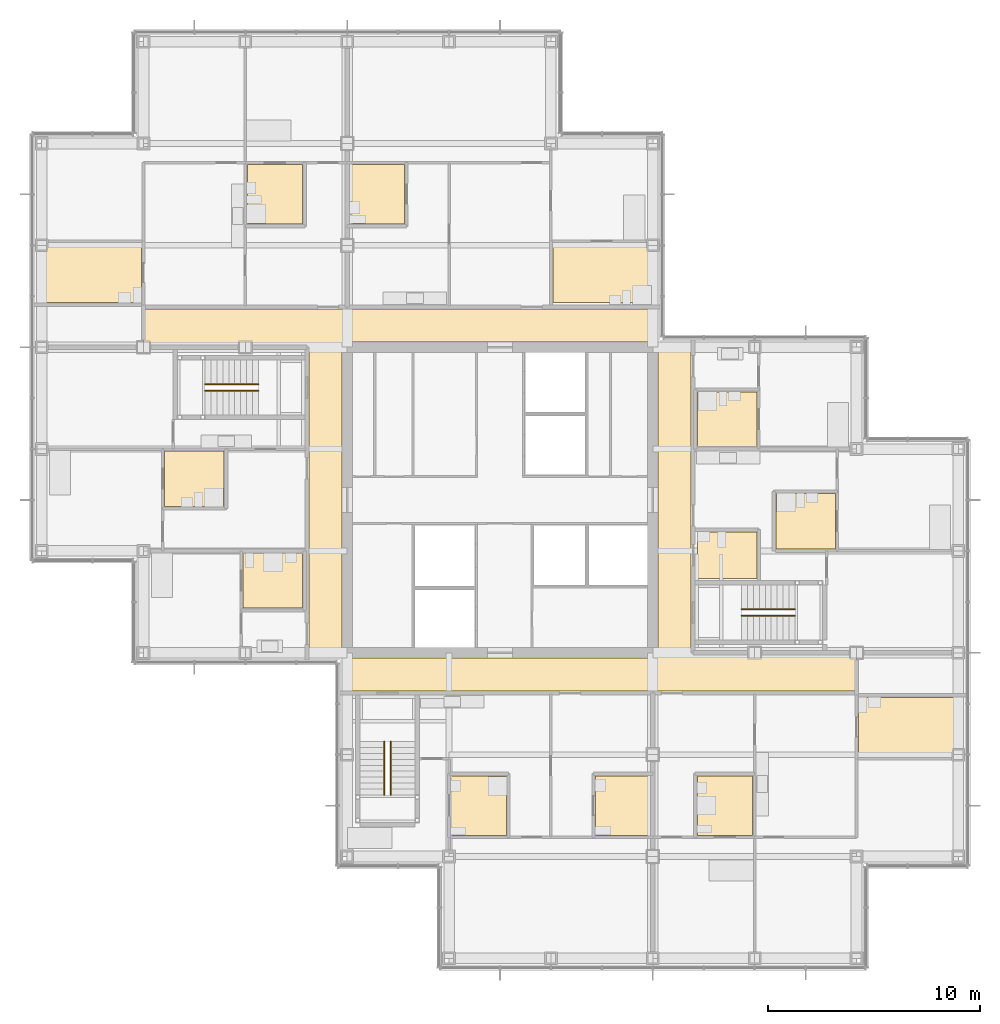
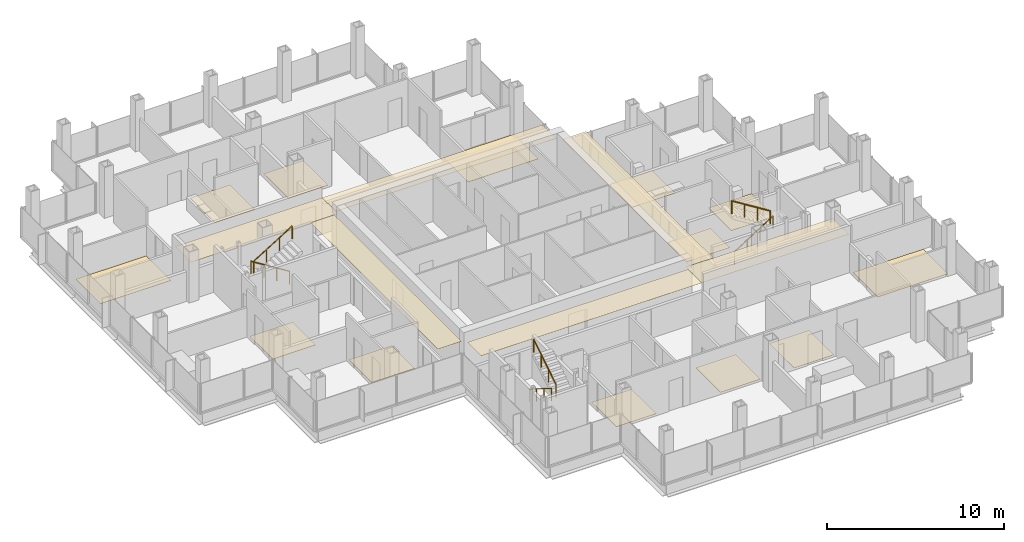
# One storey, part 18 of 20: 19 coverings, 6 railings.
"""IFC4 building model written with IfcOpenShell, lengths in metres."""

from ifc_helpers import new_model, si_unit, direction, frame, origin, origin_2d, place, context, subcontext, project, spatial, polyline, circle, outline, extrude, material, layer, layer_set, type_object, element, save


model = new_model("IFC4")

# Units and contexts
model_context = context("Model", 3, precision=1e-05, world=origin(), true_north=direction((0.0, 1.0)))
body_context = subcontext(model_context, "Body", "Model", "MODEL_VIEW")
ifc_project = project(units=[si_unit("LENGTHUNIT", "METRE"), si_unit("AREAUNIT", "SQUARE_METRE"), si_unit("VOLUMEUNIT", "CUBIC_METRE"), si_unit("PLANEANGLEUNIT", "RADIAN"), si_unit("MASSUNIT", "GRAM", prefix="KILO")], contexts=[model_context])

# Site, building, storey
site_placement = place(None, origin())
site = spatial("IfcSite", under=ifc_project, at=site_placement, CompositionType="ELEMENT")
building_placement = place(site_placement, origin())
building = spatial("IfcBuilding", under=site, at=building_placement, Name="Kvirike Care Tower", CompositionType="ELEMENT")
storey_placement = place(building_placement, frame((0.0, 0.0, 133.0)))
storey = spatial("IfcBuildingStorey", under=building, at=storey_placement, Name="L36", CompositionType="ELEMENT", Elevation=133.0)

# Coverings
ifc_material_1 = material(Name="Perforated metal ceiling tile", Category="aluminium")
ifc_layer_1 = layer(ifc_material_1, 0.014892578125)
ifc_layer_set_1 = layer_set([ifc_layer_1], Name="CORRIDOR CEILING 15")
covering_type_1 = type_object("IfcCoveringType", Name="CORRIDOR CEILING 15", PredefinedType="CEILING", material=ifc_layer_set_1)
covering_1_placement = place(storey_placement, frame((0.0, 0.0, 2.5)))
element("IfcCovering", 1, at=covering_1_placement, inside=storey, type_object=covering_type_1, Name="Corridor ceiling L36", PredefinedType="CEILING", context=body_context, shape_type="SweptSolid", body=[
    extrude(outline(polyline([(12.60009765625, 43.199951171875), (14.14990234375, 43.199951171875), (14.14990234375, 28.800048828125), (12.60009765625, 28.800048828125), (12.60009765625, 43.199951171875)])), origin(), (0.0, 0.0, 1.0), 0.014892578125),
])
covering_2_placement = place(storey_placement, frame((0.0, 0.0, 2.5)))
element("IfcCovering", 2, at=covering_2_placement, inside=storey, type_object=covering_type_1, Name="Corridor ceiling L36", PredefinedType="CEILING", context=body_context, shape_type="SweptSolid", body=[
    extrude(outline(polyline([(14.39990234375, 45.0), (14.39990234375, 43.199951171875), (4.800048828125, 43.199951171875), (4.800048828125, 45.0), (14.39990234375, 45.0)])), origin(), (0.0, 0.0, 1.0), 0.014892578125),
])
covering_3_placement = place(storey_placement, frame((0.0, 0.0, 2.5)))
element("IfcCovering", 3, at=covering_3_placement, inside=storey, type_object=covering_type_1, Name="Corridor ceiling L36", PredefinedType="CEILING", context=body_context, shape_type="SweptSolid", body=[
    extrude(outline(polyline([(14.39990234375, 27.0), (14.39990234375, 28.550048828125), (28.800048828125, 28.550048828125), (28.800048828125, 27.0), (14.39990234375, 27.0)])), origin(), (0.0, 0.0, 1.0), 0.014892578125),
])
covering_4_placement = place(storey_placement, frame((0.0, 0.0, 2.5)))
element("IfcCovering", 4, at=covering_4_placement, inside=storey, type_object=covering_type_1, Name="Corridor ceiling L36", PredefinedType="CEILING", context=body_context, shape_type="SweptSolid", body=[
    extrude(outline(polyline([(28.800048828125, 45.0), (28.800048828125, 43.449951171875), (14.39990234375, 43.449951171875), (14.39990234375, 45.0), (28.800048828125, 45.0)])), origin(), (0.0, 0.0, 1.0), 0.014892578125),
])
covering_5_placement = place(storey_placement, frame((0.0, 0.0, 2.5)))
element("IfcCovering", 5, at=covering_5_placement, inside=storey, type_object=covering_type_1, Name="Corridor ceiling L36", PredefinedType="CEILING", context=body_context, shape_type="SweptSolid", body=[
    extrude(outline(polyline([(28.800048828125, 27.0), (28.800048828125, 28.800048828125), (38.39990234375, 28.800048828125), (38.39990234375, 27.0), (28.800048828125, 27.0)])), origin(), (0.0, 0.0, 1.0), 0.014892578125),
])
covering_6_placement = place(storey_placement, frame((0.0, 0.0, 2.5)))
element("IfcCovering", 6, at=covering_6_placement, inside=storey, type_object=covering_type_1, Name="Corridor ceiling L36", PredefinedType="CEILING", context=body_context, shape_type="SweptSolid", body=[
    extrude(outline(polyline([(30.60009765625, 28.800048828125), (29.050048828125, 28.800048828125), (29.050048828125, 43.199951171875), (30.60009765625, 43.199951171875), (30.60009765625, 28.800048828125)])), origin(), (0.0, 0.0, 1.0), 0.014892578125),
])

# Railings
ifc_material_2 = material(Name="Stainless steel handrail", Category="steel")
railing_type = type_object("IfcRailingType", Name="STAIR HANDRAIL 900", PredefinedType="HANDRAIL", material=ifc_material_2)
railing_1_placement = place(storey_placement, frame((10.219970703125, 41.449951171875, 0.175048828125)))
element("IfcRailing", 7, at=railing_1_placement, inside=storey, type_object=railing_type, Name="Stair 1 handrail L36 flight 1", PredefinedType="HANDRAIL", context=body_context, shape_type="SweptSolid", body=[
    extrude(circle(Radius=0.02490234375, at=origin_2d()), frame((0.0, 0.0, 0.875), z_axis=(-0.848007534815, 0.0, 0.529984170421), x_axis=(0.0, -1.0, 0.0)), (0.0, 0.0, 1.0), 2.9716796875),
    extrude(circle(Radius=0.02001953125, at=origin_2d()), origin(), (0.0, 0.0, 1.0), 0.849853515625),
    extrude(circle(Radius=0.02001953125, at=origin_2d()), frame((-0.840087890625, 0.0, 0.52490234375)), (0.0, 0.0, 1.0), 0.849853515625),
    extrude(circle(Radius=0.02001953125, at=origin_2d()), frame((-1.679931640625, 0.0, 1.050048828125)), (0.0, 0.0, 1.0), 0.849853515625),
    extrude(circle(Radius=0.02001953125, at=origin_2d()), frame((-2.52001953125, 0.0, 1.574951171875)), (0.0, 0.0, 1.0), 0.849853515625),
])
for number, where, name in (
    (8, (7.699951171875, 41.14990234375, 1.925048828125), "Stair 1 handrail L36 flight 2"),
    (9, (32.97998046875, 30.550048828125, 0.175048828125), "Stair 2 handrail L36 flight 1"),
):
    element("IfcRailing", number, at=place(storey_placement, frame(where)), inside=storey, type_object=railing_type, Name=name, PredefinedType="HANDRAIL", context=body_context, shape_type="SweptSolid", body=[
        extrude(circle(Radius=0.02490234375, at=origin_2d()), frame((0.0, 0.0, 0.875), z_axis=(0.848007534815, 0.0, 0.529984170421), x_axis=(0.0, 1.0, 0.0)), (0.0, 0.0, 1.0), 2.9716796875),
        extrude(circle(Radius=0.02001953125, at=origin_2d()), origin(), (0.0, 0.0, 1.0), 0.849853515625),
        extrude(circle(Radius=0.02001953125, at=origin_2d()), frame((0.840087890625, 0.0, 0.52490234375)), (0.0, 0.0, 1.0), 0.849853515625),
        extrude(circle(Radius=0.02001953125, at=origin_2d()), frame((1.679931640625, 0.0, 1.050048828125)), (0.0, 0.0, 1.0), 0.849853515625),
        extrude(circle(Radius=0.02001953125, at=origin_2d()), frame((2.52001953125, 0.0, 1.574951171875)), (0.0, 0.0, 1.0), 0.849853515625),
    ])
railing_2_placement = place(storey_placement, frame((35.5, 30.85009765625, 1.925048828125)))
element("IfcRailing", 10, at=railing_2_placement, inside=storey, type_object=railing_type, Name="Stair 2 handrail L36 flight 2", PredefinedType="HANDRAIL", context=body_context, shape_type="SweptSolid", body=[
    extrude(circle(Radius=0.02490234375, at=origin_2d()), frame((0.0, 0.0, 0.875), z_axis=(-0.848007534815, 0.0, 0.529984170421), x_axis=(0.0, -1.0, 0.0)), (0.0, 0.0, 1.0), 2.9716796875),
    extrude(circle(Radius=0.02001953125, at=origin_2d()), origin(), (0.0, 0.0, 1.0), 0.849853515625),
    extrude(circle(Radius=0.02001953125, at=origin_2d()), frame((-0.840087890625, 0.0, 0.52490234375)), (0.0, 0.0, 1.0), 0.849853515625),
    extrude(circle(Radius=0.02001953125, at=origin_2d()), frame((-1.679931640625, 0.0, 1.050048828125)), (0.0, 0.0, 1.0), 0.849853515625),
    extrude(circle(Radius=0.02001953125, at=origin_2d()), frame((-2.52001953125, 0.0, 1.574951171875)), (0.0, 0.0, 1.0), 0.849853515625),
])
railing_3_placement = place(storey_placement, frame((16.14990234375, 24.6201171875, 0.175048828125)))
element("IfcRailing", 11, at=railing_3_placement, inside=storey, type_object=railing_type, Name="Stair 5 handrail L36 flight 1", PredefinedType="HANDRAIL", context=body_context, shape_type="SweptSolid", body=[
    extrude(circle(Radius=0.02490234375, at=origin_2d()), frame((0.0, 0.0, 0.875), z_axis=(0.0, -0.848007534815, 0.529984170421), x_axis=(1.0, 0.0, 0.0)), (0.0, 0.0, 1.0), 2.9716796875),
    extrude(circle(Radius=0.02001953125, at=origin_2d()), origin(), (0.0, 0.0, 1.0), 0.849853515625),
    extrude(circle(Radius=0.02001953125, at=origin_2d()), frame((0.0, -0.840087890625, 0.52490234375)), (0.0, 0.0, 1.0), 0.849853515625),
    extrude(circle(Radius=0.02001953125, at=origin_2d()), frame((0.0, -1.679931640625, 1.050048828125)), (0.0, 0.0, 1.0), 0.849853515625),
    extrude(circle(Radius=0.02001953125, at=origin_2d()), frame((0.0, -2.52001953125, 1.574951171875)), (0.0, 0.0, 1.0), 0.849853515625),
])
railing_4_placement = place(storey_placement, frame((16.449951171875, 22.10009765625, 1.925048828125)))
element("IfcRailing", 12, at=railing_4_placement, inside=storey, type_object=railing_type, Name="Stair 5 handrail L36 flight 2", PredefinedType="HANDRAIL", context=body_context, shape_type="SweptSolid", body=[
    extrude(circle(Radius=0.02490234375, at=origin_2d()), frame((0.0, 0.0, 0.875), z_axis=(0.0, 0.848007534815, 0.529984170421), x_axis=(-1.0, 0.0, 0.0)), (0.0, 0.0, 1.0), 2.9716796875),
    extrude(circle(Radius=0.02001953125, at=origin_2d()), origin(), (0.0, 0.0, 1.0), 0.849853515625),
    extrude(circle(Radius=0.02001953125, at=origin_2d()), frame((0.0, 0.840087890625, 0.52490234375)), (0.0, 0.0, 1.0), 0.849853515625),
    extrude(circle(Radius=0.02001953125, at=origin_2d()), frame((0.0, 1.679931640625, 1.050048828125)), (0.0, 0.0, 1.0), 0.849853515625),
    extrude(circle(Radius=0.02001953125, at=origin_2d()), frame((0.0, 2.52001953125, 1.574951171875)), (0.0, 0.0, 1.0), 0.849853515625),
])

# Coverings
ifc_material_3 = material(Name="Slip-resistant vinyl safety flooring on screed")
ifc_layer_2 = layer(ifc_material_3, 0.02001953125)
ifc_layer_set_2 = layer_set([ifc_layer_2], Name="WET ROOM FLOOR 20")
covering_type_2 = type_object("IfcCoveringType", Name="WET ROOM FLOOR 20", PredefinedType="FLOORING", material=ifc_layer_set_2)
covering_7_placement = place(storey_placement, origin())
element("IfcCovering", 13, at=covering_7_placement, inside=storey, type_object=covering_type_2, Name="En-suite floor L36-005", PredefinedType="FLOORING", context=body_context, shape_type="SweptSolid", body=[
    extrude(outline(polyline([(5.800048828125, 38.300048828125), (8.60009765625, 38.300048828125), (8.60009765625, 35.699951171875), (5.800048828125, 35.699951171875), (5.800048828125, 38.300048828125)])), origin(), (0.0, 0.0, 1.0), 0.02001953125),
])
covering_8_placement = place(storey_placement, origin())
element("IfcCovering", 14, at=covering_8_placement, inside=storey, type_object=covering_type_2, Name="En-suite floor L36-009", PredefinedType="FLOORING", context=body_context, shape_type="SweptSolid", body=[
    extrude(outline(polyline([(9.5, 33.5), (12.300048828125, 33.5), (12.300048828125, 30.89990234375), (9.5, 30.89990234375), (9.5, 33.5)])), origin(), (0.0, 0.0, 1.0), 0.02001953125),
])
covering_9_placement = place(storey_placement, origin())
element("IfcCovering", 15, at=covering_9_placement, inside=storey, type_object=covering_type_2, Name="En-suite floor L36-014", PredefinedType="FLOORING", context=body_context, shape_type="SweptSolid", body=[
    extrude(outline(polyline([(12.300048828125, 51.800048828125), (12.300048828125, 49.0), (9.699951171875, 49.0), (9.699951171875, 51.800048828125), (12.300048828125, 51.800048828125)])), origin(), (0.0, 0.0, 1.0), 0.02001953125),
])
covering_10_placement = place(storey_placement, origin())
element("IfcCovering", 16, at=covering_10_placement, inside=storey, type_object=covering_type_2, Name="Accessible WC floor L36-015", PredefinedType="FLOORING", context=body_context, shape_type="SweptSolid", body=[
    extrude(outline(polyline([(4.699951171875, 48.10009765625), (4.699951171875, 45.300048828125), (0.10009765625, 45.300048828125), (0.10009765625, 48.10009765625), (4.699951171875, 48.10009765625)])), origin(), (0.0, 0.0, 1.0), 0.02001953125),
])
covering_11_placement = place(storey_placement, origin())
element("IfcCovering", 17, at=covering_11_placement, inside=storey, type_object=covering_type_2, Name="Accessible WC floor L36-022", PredefinedType="FLOORING", context=body_context, shape_type="SweptSolid", body=[
    extrude(outline(polyline([(26.10009765625, 20.199951171875), (26.10009765625, 23.0), (28.699951171875, 23.0), (28.699951171875, 20.199951171875), (26.10009765625, 20.199951171875)])), origin(), (0.0, 0.0, 1.0), 0.02001953125),
])
covering_12_placement = place(storey_placement, origin())
element("IfcCovering", 18, at=covering_12_placement, inside=storey, type_object=covering_type_2, Name="En-suite floor L36-023", PredefinedType="FLOORING", context=body_context, shape_type="SweptSolid", body=[
    extrude(outline(polyline([(19.300048828125, 20.199951171875), (19.300048828125, 23.0), (21.89990234375, 23.0), (21.89990234375, 20.199951171875), (19.300048828125, 20.199951171875)])), origin(), (0.0, 0.0, 1.0), 0.02001953125),
])
covering_13_placement = place(storey_placement, origin())
element("IfcCovering", 19, at=covering_13_placement, inside=storey, type_object=covering_type_2, Name="En-suite floor L36-029", PredefinedType="FLOORING", context=body_context, shape_type="SweptSolid", body=[
    extrude(outline(polyline([(28.699951171875, 48.10009765625), (28.699951171875, 45.300048828125), (24.10009765625, 45.300048828125), (24.10009765625, 48.10009765625), (28.699951171875, 48.10009765625)])), origin(), (0.0, 0.0, 1.0), 0.02001953125),
])
covering_14_placement = place(storey_placement, origin())
element("IfcCovering", 20, at=covering_14_placement, inside=storey, type_object=covering_type_2, Name="Accessible WC floor L36-030", PredefinedType="FLOORING", context=body_context, shape_type="SweptSolid", body=[
    extrude(outline(polyline([(17.10009765625, 51.800048828125), (17.10009765625, 49.0), (14.5, 49.0), (14.5, 51.800048828125), (17.10009765625, 51.800048828125)])), origin(), (0.0, 0.0, 1.0), 0.02001953125),
])
covering_15_placement = place(storey_placement, origin())
element("IfcCovering", 21, at=covering_15_placement, inside=storey, type_object=covering_type_2, Name="En-suite floor L36-036", PredefinedType="FLOORING", context=body_context, shape_type="SweptSolid", body=[
    extrude(outline(polyline([(30.89990234375, 20.199951171875), (30.89990234375, 23.0), (33.5, 23.0), (33.5, 20.199951171875), (30.89990234375, 20.199951171875)])), origin(), (0.0, 0.0, 1.0), 0.02001953125),
])
covering_16_placement = place(storey_placement, origin())
element("IfcCovering", 22, at=covering_16_placement, inside=storey, type_object=covering_type_2, Name="Accessible WC floor L36-037", PredefinedType="FLOORING", context=body_context, shape_type="SweptSolid", body=[
    extrude(outline(polyline([(38.5, 23.89990234375), (38.5, 26.699951171875), (43.10009765625, 26.699951171875), (43.10009765625, 23.89990234375), (38.5, 23.89990234375)])), origin(), (0.0, 0.0, 1.0), 0.02001953125),
])
covering_17_placement = place(storey_placement, origin())
element("IfcCovering", 23, at=covering_17_placement, inside=storey, type_object=covering_type_2, Name="Accessible WC floor L36-044", PredefinedType="FLOORING", context=body_context, shape_type="SweptSolid", body=[
    extrude(outline(polyline([(33.699951171875, 32.300048828125), (30.89990234375, 32.300048828125), (30.89990234375, 34.5), (33.699951171875, 34.5), (33.699951171875, 32.300048828125)])), origin(), (0.0, 0.0, 1.0), 0.02001953125),
])
covering_18_placement = place(storey_placement, origin())
element("IfcCovering", 24, at=covering_18_placement, inside=storey, type_object=covering_type_2, Name="En-suite floor L36-045", PredefinedType="FLOORING", context=body_context, shape_type="SweptSolid", body=[
    extrude(outline(polyline([(37.39990234375, 33.699951171875), (34.60009765625, 33.699951171875), (34.60009765625, 36.300048828125), (37.39990234375, 36.300048828125), (37.39990234375, 33.699951171875)])), origin(), (0.0, 0.0, 1.0), 0.02001953125),
])
covering_19_placement = place(storey_placement, origin())
element("IfcCovering", 25, at=covering_19_placement, inside=storey, type_object=covering_type_2, Name="En-suite floor L36-048", PredefinedType="FLOORING", context=body_context, shape_type="SweptSolid", body=[
    extrude(outline(polyline([(33.699951171875, 38.5), (30.89990234375, 38.5), (30.89990234375, 41.10009765625), (33.699951171875, 41.10009765625), (33.699951171875, 38.5)])), origin(), (0.0, 0.0, 1.0), 0.02001953125),
])

save(model, "model.ifc")
